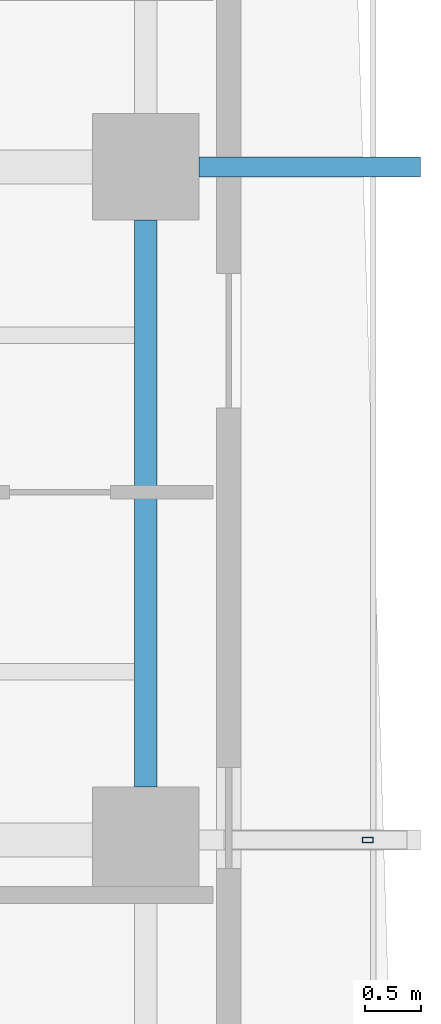
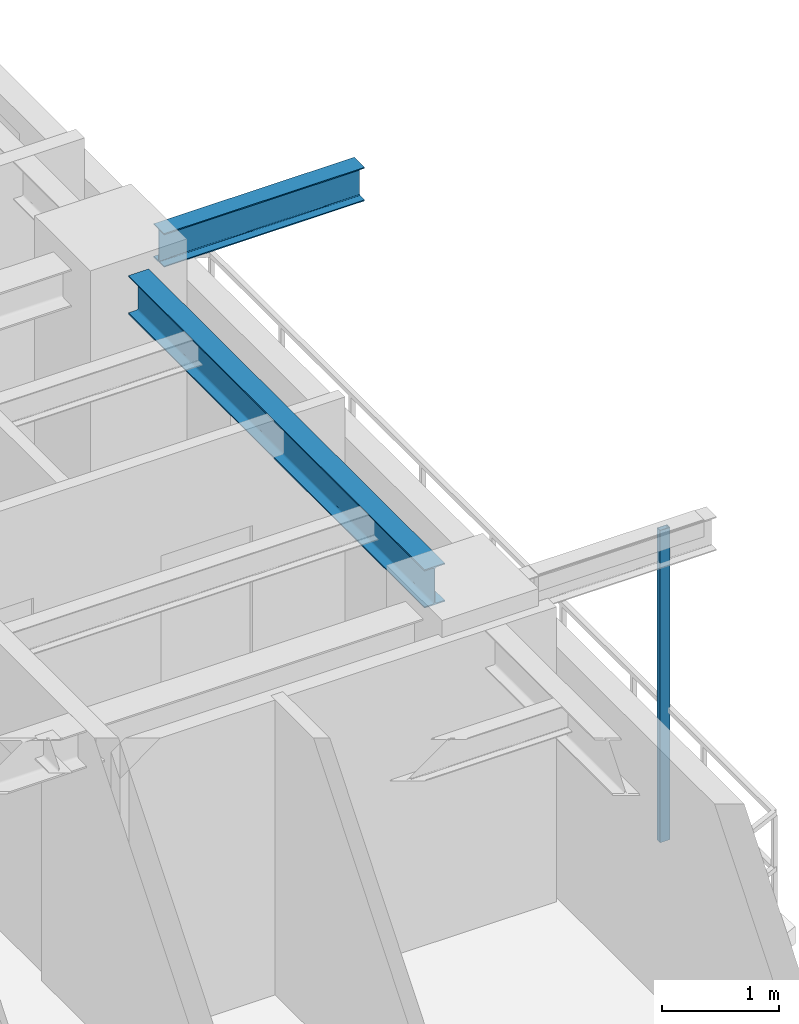
# One storey, part 8 of 18: 2 beams, 1 member.
"""IFC4 building model written with IfcOpenShell, lengths in metres."""

from ifc_helpers import new_model, si_unit, direction, frame, origin, origin_2d, place, context, subcontext, project, spatial, hollow_rectangle, i_section, extrude, source, transform, mapped, material, material_profile, profile_set, type_object, element, save


model = new_model("IFC4")

# Units and contexts
model_context = context("Model", 3, precision=1e-05, world=origin(), true_north=direction((0.0, 1.0)))
body_context = subcontext(model_context, "Body", "Model", "MODEL_VIEW")
ifc_project = project(units=[si_unit("LENGTHUNIT", "METRE"), si_unit("AREAUNIT", "SQUARE_METRE"), si_unit("VOLUMEUNIT", "CUBIC_METRE"), si_unit("PLANEANGLEUNIT", "RADIAN"), si_unit("MASSUNIT", "GRAM", prefix="KILO"), si_unit("THERMODYNAMICTEMPERATUREUNIT", "KELVIN"), si_unit("POWERUNIT", "WATT")], contexts=[model_context])

# Site, building, storey
site_placement = place(None, origin())
site = spatial("IfcSite", under=ifc_project, at=site_placement, CompositionType="ELEMENT")
building_placement = place(site_placement, origin())
building = spatial("IfcBuilding", under=site, at=building_placement, Name="Qiaomeng Ring Towers", CompositionType="ELEMENT")
storey_placement = place(building_placement, frame((0.0, 0.0, 179.5)))
storey = spatial("IfcBuildingStorey", under=building, at=storey_placement, Name="L52", CompositionType="ELEMENT", Elevation=179.5)

# Beams
ifc_material_1 = material(Name="Steel Q355B", Category="steel")
ifc_material_profile_1 = material_profile(ifc_material_1, i_section(OverallWidth=0.199951171875, OverallDepth=0.39990234375, WebThickness=0.008056640625, FlangeThickness=0.012939453125, FilletRadius=0.01611328125, at=origin_2d()), Name="HN 400x200x8x13")
ifc_profile_set_1 = profile_set([ifc_material_profile_1], Name="Steel Q355B")
beam_type_1 = type_object("IfcBeamType", Name="STR-BM-HN400", PredefinedType="SPANDREL", material=ifc_profile_set_1)
shared_shape_1 = source(origin(), body_context, "Body", "SweptSolid", [
    extrude(i_section(OverallWidth=0.199951171875, OverallDepth=0.39990234375, WebThickness=0.008056640625, FlangeThickness=0.012939453125, FilletRadius=0.01611328125, at=origin_2d()), origin(), (0.0, 0.0, 1.0), 5.0517578125),
])
beam_1_placement = place(storey_placement, frame((36.050048828125, 20.47412109375, 2.8701171875), z_axis=(0.0, 1.0, 0.0), x_axis=(-1.0, 0.0, 0.0)))
element("IfcBeam", 1, at=beam_1_placement, inside=storey, type_object=beam_type_1, Name="L52 beam STR-SP-L52-T1-E2-E3", PredefinedType="SPANDREL", context=body_context, shape_type="MappedRepresentation", body=[
    mapped(shared_shape_1, transform((0.0, 0.0, 0.0), x_axis=(1.0, 0.0, 0.0), y_axis=(0.0, 1.0, 0.0), z_axis=(0.0, 0.0, 1.0), scale=1.0)),
])
ifc_material_profile_2 = material_profile(ifc_material_1, i_section(OverallWidth=0.175048828125, OverallDepth=0.35009765625, WebThickness=0.007080078125, FlangeThickness=0.010986328125, FilletRadius=0.013916015625, at=origin_2d()), Name="HN 350x175x7x11")
ifc_profile_set_2 = profile_set([ifc_material_profile_2], Name="Steel Q355B")
beam_type_2 = type_object("IfcBeamType", Name="STR-BM-HN350", PredefinedType="JOIST", material=ifc_profile_set_2)
shared_shape_2 = source(origin(), body_context, "Body", "SweptSolid", [
    extrude(i_section(OverallWidth=0.175048828125, OverallDepth=0.35009765625, WebThickness=0.007080078125, FlangeThickness=0.010986328125, FilletRadius=0.013916015625, at=origin_2d()), origin(), (0.0, 0.0, 1.0), 1.97607421875),
])
beam_2_placement = place(storey_placement, frame((36.52392578125, 26.0, 2.89501953125), z_axis=(1.0, 0.0, 0.0), x_axis=(0.0, 1.0, 0.0)))
element("IfcBeam", 2, at=beam_2_placement, inside=storey, type_object=beam_type_2, Name="L52 beam STR-BALBM-L52-E3", PredefinedType="JOIST", context=body_context, shape_type="MappedRepresentation", body=[
    mapped(shared_shape_2, transform((0.0, 0.0, 0.0), x_axis=(1.0, 0.0, 0.0), y_axis=(0.0, 1.0, 0.0), z_axis=(0.0, 0.0, 1.0), scale=1.0)),
])

# Member
ifc_material_2 = material(Name="Stainless steel 316", Category="steel")
ifc_material_profile_3 = material_profile(ifc_material_2, hollow_rectangle(XDim=0.050048828125, YDim=0.10009765625, WallThickness=0.00390625, at=origin_2d()), Name="SS TRELLIS 100x50")
ifc_profile_set_3 = profile_set([ifc_material_profile_3], Name="Stainless steel 316")
member_type = type_object("IfcMemberType", Name="ARC-TR-POST2", PredefinedType="STUD", material=ifc_profile_set_3)
shared_shape_3 = source(origin(), body_context, "Body", "SweptSolid", [
    extrude(hollow_rectangle(XDim=0.050048828125, YDim=0.10009765625, WallThickness=0.00390625, at=origin_2d()), origin(), (0.0, 0.0, 1.0), 3.25),
])
member_placement = place(storey_placement, frame((38.030029296875, 20.0, -0.179931640625), z_axis=(0.0, 0.0, 1.0), x_axis=(0.0, 1.0, 0.0)))
element("IfcMember", 3, at=member_placement, inside=storey, type_object=member_type, Name="L52 Outer Ventilated Trellis Post E", PredefinedType="STUD", context=body_context, shape_type="MappedRepresentation", body=[
    mapped(shared_shape_3, transform((0.0, 0.0, 0.0), x_axis=(1.0, 0.0, 0.0), y_axis=(0.0, 1.0, 0.0), z_axis=(0.0, 0.0, 1.0), scale=1.0)),
])

save(model, "model.ifc")
